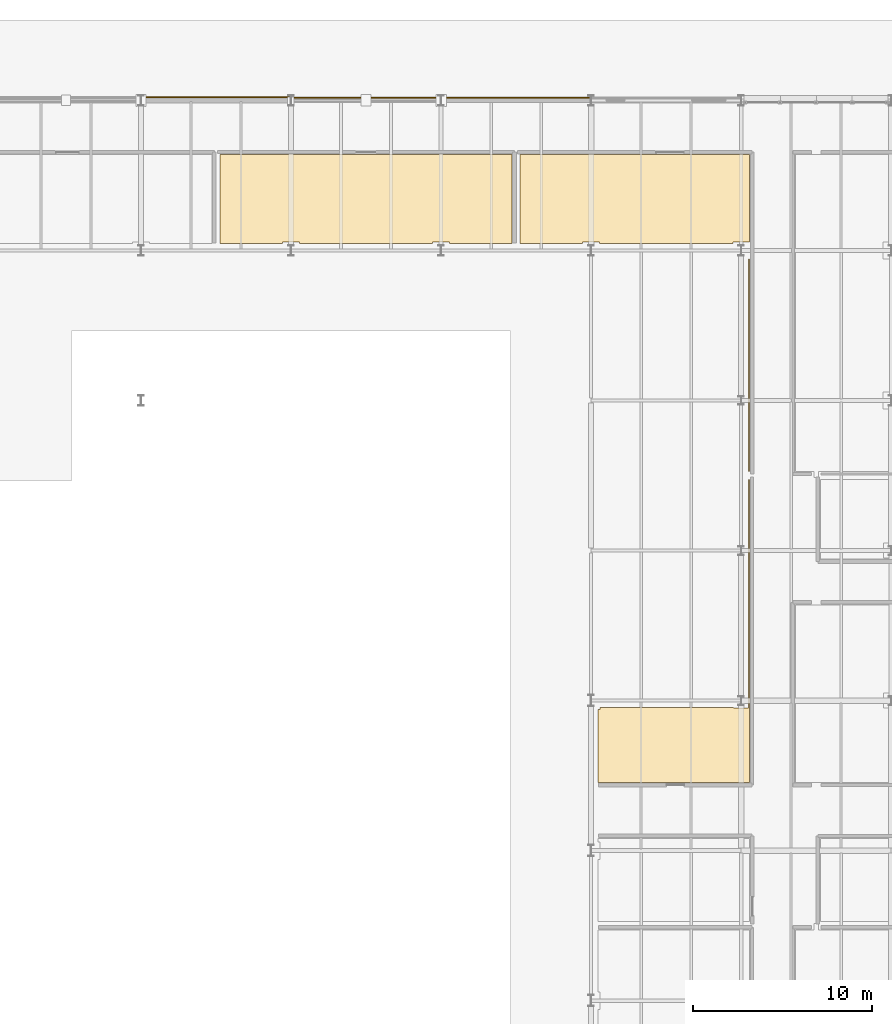
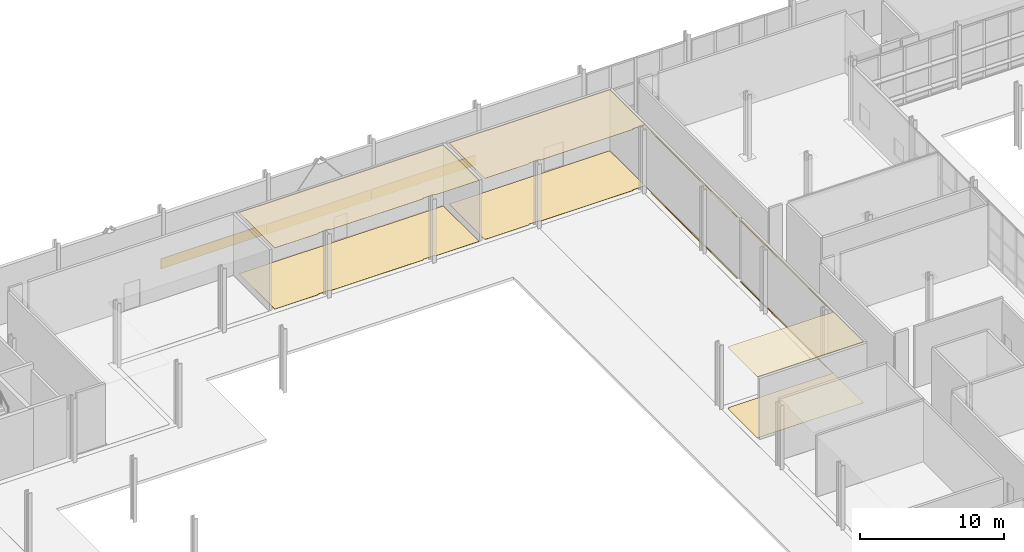
# One storey, part 114 of 124: 9 coverings.
"""IFC4 building model written with IfcOpenShell, lengths in metres."""

from ifc_helpers import new_model, si_unit, direction, frame, origin, origin_2d, place, context, subcontext, project, spatial, polyline, rectangle, outline, extrude, material, layer, layer_set, type_object, element, save


model = new_model("IFC4")

# Units and contexts
model_context = context("Model", 3, precision=1e-05, world=origin(), true_north=direction((0.0, 1.0)))
body_context = subcontext(model_context, "Body", "Model", "MODEL_VIEW")
ifc_project = project(units=[si_unit("LENGTHUNIT", "METRE"), si_unit("AREAUNIT", "SQUARE_METRE"), si_unit("VOLUMEUNIT", "CUBIC_METRE"), si_unit("PLANEANGLEUNIT", "RADIAN"), si_unit("MASSUNIT", "GRAM", prefix="KILO")], contexts=[model_context])

# Site, building, storey
site_placement = place(None, origin())
site = spatial("IfcSite", under=ifc_project, at=site_placement, CompositionType="ELEMENT")
building_placement = place(site_placement, origin())
building = spatial("IfcBuilding", under=site, at=building_placement, Name="Mersafa Astral City Hall", CompositionType="ELEMENT")
storey_placement = place(building_placement, origin())
storey = spatial("IfcBuildingStorey", under=building, at=storey_placement, Name="L00", CompositionType="ELEMENT", Elevation=0.0)

# Coverings
ifc_material_1 = material(Name="Cairo Mokattam buff limestone cladding", Category="masonry")
ifc_layer_1 = layer(ifc_material_1, 0.06005859375, Name="Cairo Mokattam buff limestone cladding")
ifc_layer_set_1 = layer_set([ifc_layer_1], Name="Cairo Mokattam buff limestone cladding — ENV-COV-LIMESTONE-60")
covering_type_1 = type_object("IfcCoveringType", Name="ENV-COV-LIMESTONE-60", PredefinedType="CLADDING", material=ifc_layer_set_1)
for number, where, z_axis, x_axis, name in (
    (1, (88.199951171875, 126.14697265625, 0.0), (0.0, 0.0, 1.0), (-1.0, 0.0, 0.0), "L00 Cairo buff limestone rainscreen cladding 38"),
    (2, (79.800048828125, 126.139404296875, 0.0), (0.0, 0.0, 1.0), (-1.0, 0.0, 0.0), "L00 Cairo buff limestone rainscreen cladding 39"),
    (3, (71.39990234375, 126.177001953125, 0.0), (0.0, 0.0, 1.0), (-1.0, 0.0, 0.0), "L00 Cairo buff limestone rainscreen cladding 40"),
):
    element("IfcCovering", number, at=place(storey_placement, frame(where, z_axis=z_axis, x_axis=x_axis)), inside=storey, type_object=covering_type_1, Name=name, PredefinedType="CLADDING", context=body_context, shape_type="SweptSolid", body=[
        extrude(rectangle(XDim=8.323974609375, YDim=0.06005859375, at=origin_2d()), origin(), (0.0, 0.0, 1.0), 0.860107421875),
    ])
ifc_material_2 = material(Name="Perforated acoustic gypsum board ceiling", Category="gypsum")
ifc_layer_2 = layer(ifc_material_2, 0.02490234375, Name="Perforated acoustic gypsum board ceiling")
ifc_layer_set_2 = layer_set([ifc_layer_2], Name="Perforated acoustic gypsum board ceiling — INT-COV-CEIL-25")
covering_type_2 = type_object("IfcCoveringType", Name="INT-COV-CEIL-25", PredefinedType="CEILING", material=ifc_layer_set_2)
covering_1_placement = place(storey_placement, frame((0.0, 0.0, 5.156005859375)))
element("IfcCovering", 4, at=covering_1_placement, inside=storey, type_object=covering_type_2, Name="L00 Fire Command Room acoustic ceiling", PredefinedType="CEILING", context=body_context, shape_type="SweptSolid", body=[
    extrude(outline(polyline([(87.969970703125, 122.9599609375), (87.969970703125, 118.0), (84.469970703125, 118.0), (84.469970703125, 118.070068359375), (83.530029296875, 118.070068359375), (83.530029296875, 118.0), (76.070068359375, 118.0), (76.070068359375, 118.070068359375), (75.1298828125, 118.070068359375), (75.1298828125, 118.0), (71.6298828125, 118.0), (71.6298828125, 122.9599609375), (87.969970703125, 122.9599609375)])), origin(), (0.0, 0.0, 1.0), 0.02490234375),
])
covering_2_placement = place(storey_placement, frame((0.0, 0.0, 5.156005859375)))
element("IfcCovering", 5, at=covering_2_placement, inside=storey, type_object=covering_type_2, Name="L00 Public Information & Wayfinding Salon L00-18 acoustic ceiling", PredefinedType="CEILING", context=body_context, shape_type="SweptSolid", body=[
    extrude(outline(polyline([(88.429931640625, 118.0), (88.429931640625, 122.9599609375), (101.280029296875, 122.9599609375), (101.280029296875, 105.22998046875), (101.199951171875, 105.22998046875), (101.199951171875, 108.780029296875), (101.219970703125, 108.780029296875), (101.219970703125, 109.6201171875), (101.199951171875, 109.6201171875), (101.199951171875, 117.1298828125), (101.27001953125, 117.1298828125), (101.27001953125, 118.070068359375), (100.330078125, 118.070068359375), (100.330078125, 118.0), (92.8701171875, 118.0), (92.8701171875, 118.070068359375), (91.929931640625, 118.070068359375), (91.929931640625, 118.0), (88.429931640625, 118.0)])), origin(), (0.0, 0.0, 1.0), 0.02490234375),
])
covering_3_placement = place(storey_placement, frame((0.0, 0.0, 5.156005859375)))
element("IfcCovering", 6, at=covering_3_placement, inside=storey, type_object=covering_type_2, Name="L00 Citizens Service Centre L00-21 acoustic ceiling", PredefinedType="CEILING", context=body_context, shape_type="SweptSolid", body=[
    extrude(outline(polyline([(92.89501953125, 91.905029296875), (92.89501953125, 92.0), (100.3798828125, 92.0), (100.3798828125, 91.97998046875), (101.219970703125, 91.97998046875), (101.219970703125, 92.820068359375), (101.199951171875, 92.820068359375), (101.199951171875, 100.3798828125), (101.219970703125, 100.3798828125), (101.219970703125, 101.219970703125), (101.199951171875, 101.219970703125), (101.199951171875, 104.77001953125), (101.280029296875, 104.77001953125), (101.280029296875, 87.820068359375), (92.800048828125, 87.820068359375), (92.800048828125, 91.905029296875), (92.89501953125, 91.905029296875)])), origin(), (0.0, 0.0, 1.0), 0.02490234375),
])
ifc_material_3 = material(Name="Honed Cairo limestone terrazzo flooring", Category="masonry")
ifc_layer_3 = layer(ifc_material_3, 0.02001953125, Name="Honed Cairo limestone terrazzo flooring")
ifc_layer_set_3 = layer_set([ifc_layer_3], Name="Honed Cairo limestone terrazzo flooring — INT-COV-FLR-20")
covering_type_3 = type_object("IfcCoveringType", Name="INT-COV-FLR-20", PredefinedType="FLOORING", material=ifc_layer_set_3)
covering_4_placement = place(storey_placement, frame((0.0, 0.0, -0.00146484375)))
element("IfcCovering", 7, at=covering_4_placement, inside=storey, type_object=covering_type_3, Name="L00 Fire Command Room architectural flooring", PredefinedType="FLOORING", context=body_context, shape_type="SweptSolid", body=[
    extrude(outline(polyline([(87.969970703125, 122.9599609375), (87.969970703125, 118.0), (84.469970703125, 118.0), (84.469970703125, 118.070068359375), (83.530029296875, 118.070068359375), (83.530029296875, 118.0), (76.070068359375, 118.0), (76.070068359375, 118.070068359375), (75.1298828125, 118.070068359375), (75.1298828125, 118.0), (71.6298828125, 118.0), (71.6298828125, 122.9599609375), (87.969970703125, 122.9599609375)])), origin(), (0.0, 0.0, 1.0), 0.02001953125),
])
covering_5_placement = place(storey_placement, frame((0.0, 0.0, -0.00146484375)))
element("IfcCovering", 8, at=covering_5_placement, inside=storey, type_object=covering_type_3, Name="L00 Public Information & Wayfinding Salon L00-18 architectural flooring", PredefinedType="FLOORING", context=body_context, shape_type="SweptSolid", body=[
    extrude(outline(polyline([(88.429931640625, 118.0), (88.429931640625, 122.9599609375), (101.280029296875, 122.9599609375), (101.280029296875, 105.22998046875), (101.199951171875, 105.22998046875), (101.199951171875, 108.780029296875), (101.219970703125, 108.780029296875), (101.219970703125, 109.6201171875), (101.199951171875, 109.6201171875), (101.199951171875, 117.1298828125), (101.27001953125, 117.1298828125), (101.27001953125, 118.070068359375), (100.330078125, 118.070068359375), (100.330078125, 118.0), (92.8701171875, 118.0), (92.8701171875, 118.070068359375), (91.929931640625, 118.070068359375), (91.929931640625, 118.0), (88.429931640625, 118.0)])), origin(), (0.0, 0.0, 1.0), 0.02001953125),
])
covering_6_placement = place(storey_placement, frame((0.0, 0.0, -0.00146484375)))
element("IfcCovering", 9, at=covering_6_placement, inside=storey, type_object=covering_type_3, Name="L00 Citizens Service Centre L00-21 architectural flooring", PredefinedType="FLOORING", context=body_context, shape_type="SweptSolid", body=[
    extrude(outline(polyline([(92.89501953125, 91.905029296875), (92.89501953125, 92.0), (100.3798828125, 92.0), (100.3798828125, 91.97998046875), (101.219970703125, 91.97998046875), (101.219970703125, 92.820068359375), (101.199951171875, 92.820068359375), (101.199951171875, 100.3798828125), (101.219970703125, 100.3798828125), (101.219970703125, 101.219970703125), (101.199951171875, 101.219970703125), (101.199951171875, 104.77001953125), (101.280029296875, 104.77001953125), (101.280029296875, 87.820068359375), (92.800048828125, 87.820068359375), (92.800048828125, 91.905029296875), (92.89501953125, 91.905029296875)])), origin(), (0.0, 0.0, 1.0), 0.02001953125),
])

save(model, "model.ifc")
